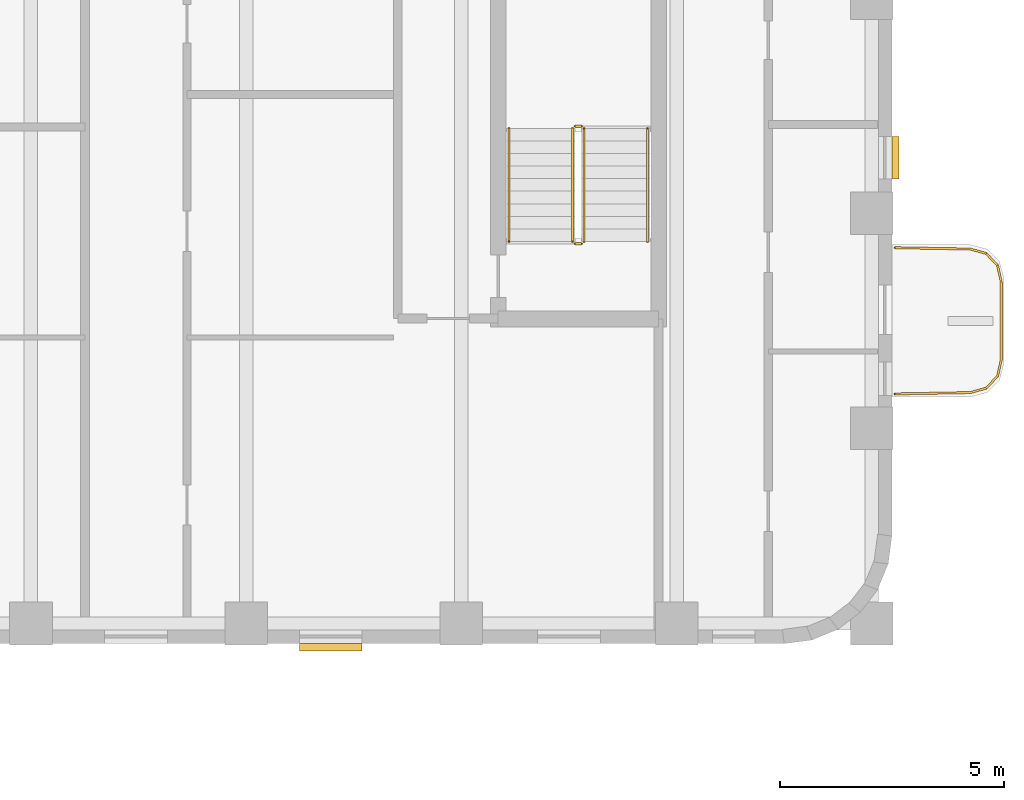
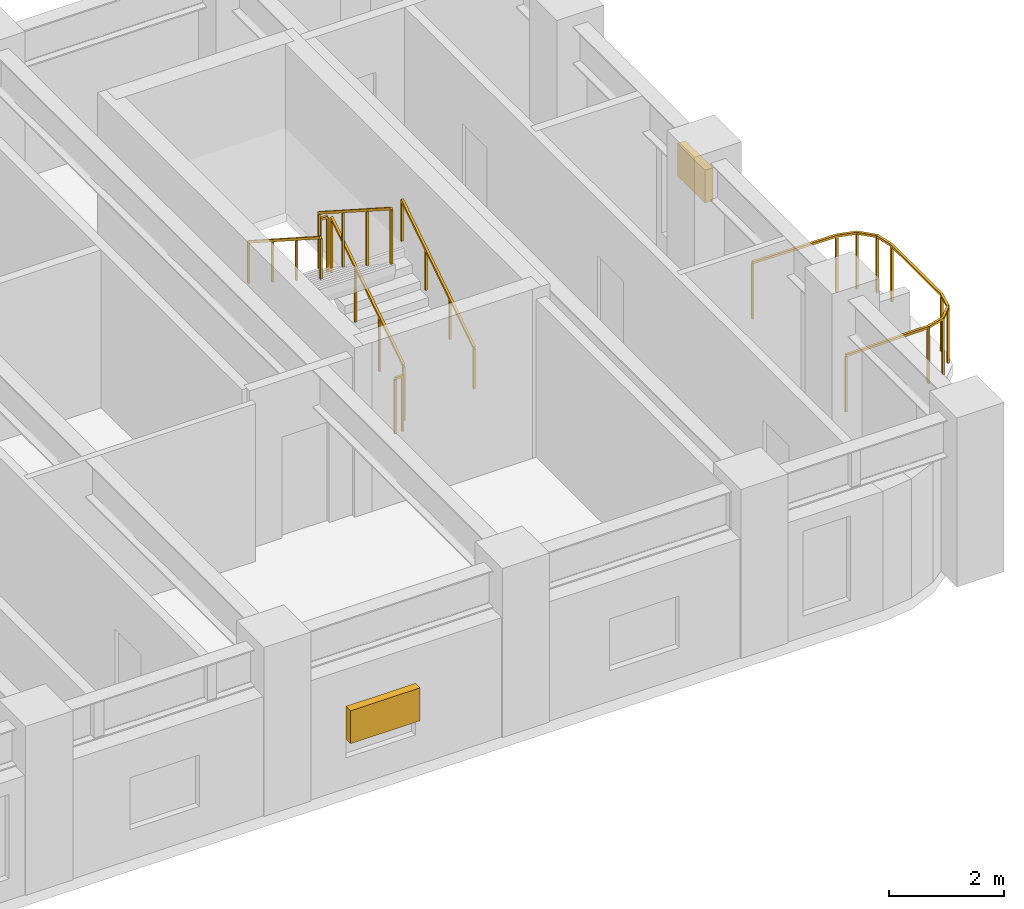
# One storey, part 9 of 10: 7 railings, 2 shading devices.
"""IFC4 building model written with IfcOpenShell, lengths in metres."""

import ifcopenshell
import ifcopenshell.guid

model = None  # the IFC model being written
_history = None  # IfcOwnerHistory: only IFC2X3 demands one
_inside = {}  # id of a spatial element -> (the spatial element, [elements in it])
_under = {}  # id of a project, library or spatial element -> (it, [spatial elements below it])
_declared = {}  # id of a project -> (the project, [libraries it declares])
_typed = {}  # id of a type object -> (the type object, [elements of that type])
_made_of = {}  # id of a material, layer set ... -> (it, [elements and type objects made of it])


def new_model(schema):
    """Start an empty IFC model of exactly this schema.

    Asked for "IFC4X3", IfcOpenShell would pick the latest addendum, in which some entities
    have other attributes; the version numbers below select the first issue.
    IFC2X3 requires an IfcOwnerHistory on every rooted entity: one is made here for all.
    """
    global model, _history
    if schema == "IFC4X3":
        model = ifcopenshell.file(schema_version=(4, 3, 0, 0))
    else:
        model = ifcopenshell.file(schema=schema)
    _inside.clear()
    _under.clear()
    _declared.clear()
    _typed.clear()
    _made_of.clear()
    _history = None
    if model.schema == "IFC2X3":
        org = make("IfcOrganization", Name="unknown")
        user = make(
            "IfcPersonAndOrganization",
            ThePerson=make("IfcPerson", FamilyName="unknown"),
            TheOrganization=org,
        )
        app = make(
            "IfcApplication",
            ApplicationDeveloper=org,
            Version="unknown",
            ApplicationFullName="unknown",
            ApplicationIdentifier="unknown",
        )
        _history = make(
            "IfcOwnerHistory",
            OwningUser=user,
            OwningApplication=app,
            ChangeAction="ADDED",
            CreationDate=0,
        )
    return model


def make(cls, **values):
    """One entity of the class cls with the attributes given. An attribute that is None is left unset."""
    return model.create_entity(
        cls, **{name: value for name, value in values.items() if value is not None}
    )


def rooted(cls, **values):
    """An entity with a GlobalId (a new one), such as an element, a storey or a relation."""
    return make(cls, GlobalId=ifcopenshell.guid.new(), OwnerHistory=_history, **values)


def si_unit(unit_type, name, prefix=None):
    """IfcSIUnit, for example si_unit("LENGTHUNIT", "METRE", prefix="MILLI")."""
    return make("IfcSIUnit", UnitType=unit_type, Prefix=prefix, Name=name)


def assignment(units):
    """IfcUnitAssignment: the units of a project."""
    return None if units is None else make("IfcUnitAssignment", Units=units)


def point(xyz):
    """IfcCartesianPoint."""
    return None if xyz is None else make("IfcCartesianPoint", Coordinates=xyz)


def direction(xyz):
    """IfcDirection."""
    return None if xyz is None else make("IfcDirection", DirectionRatios=xyz)


def frame(location, z_axis=None, x_axis=None):
    """IfcAxis2Placement3D, a coordinate frame: its origin and axes. An axis left out is left unset."""
    return make(
        "IfcAxis2Placement3D",
        Location=point(location),
        Axis=direction(z_axis),
        RefDirection=direction(x_axis),
    )


def frame_2d(location, x_axis=None):
    """IfcAxis2Placement2D, a coordinate frame in the plane: its origin and x axis."""
    return make(
        "IfcAxis2Placement2D", Location=point(location), RefDirection=direction(x_axis)
    )


def origin():
    """The frame at (0, 0, 0) with its axes left unset."""
    return frame((0.0, 0.0, 0.0))


def origin_2d():
    """The frame at (0, 0) in the plane with its x axis left unset."""
    return frame_2d((0.0, 0.0))


def place(relative_to, where):
    """IfcLocalPlacement: puts the frame where relative to a parent placement (None: the world)."""
    return make(
        "IfcLocalPlacement", PlacementRelTo=relative_to, RelativePlacement=where
    )


def context(
    kind, dimensions, precision=None, world=None, true_north=None, identifier=None
):
    """IfcGeometricRepresentationContext, for example the 3D "Model" context."""
    return make(
        "IfcGeometricRepresentationContext",
        ContextIdentifier=identifier,
        ContextType=kind,
        CoordinateSpaceDimension=dimensions,
        Precision=precision,
        WorldCoordinateSystem=world,
        TrueNorth=true_north,
    )


def subcontext(parent, identifier, kind, view, scale=None):
    """IfcGeometricRepresentationSubContext, for example "Body" below "Model"."""
    return make(
        "IfcGeometricRepresentationSubContext",
        ContextIdentifier=identifier,
        ContextType=kind,
        ParentContext=parent,
        TargetScale=scale,
        TargetView=view,
    )


def project(units=None, contexts=None):
    """IfcProject with its units and contexts."""
    return rooted(
        "IfcProject",
        Name="project",
        RepresentationContexts=contexts,
        UnitsInContext=assignment(units),
    )


def spatial(cls, under=None, at=None, **own):
    """A site, building, storey or space (cls), placed at a placement, below another one or the project."""
    s = rooted(cls, ObjectPlacement=at, **own)
    if under is not None:
        _under.setdefault(under.id(), (under, []))[1].append(s)
    return s


def profile(cls, at=None, kind="AREA", **sizes):
    """A parametric profile (cls). Its sizes go by their IFC names, for example OverallWidth=200.0."""
    return make(cls, ProfileType=kind, Position=at, **sizes)


def rectangle(**sizes):
    """IfcRectangleProfileDef."""
    return profile("IfcRectangleProfileDef", **sizes)


def extrude(swept, where, along, depth):
    """IfcExtrudedAreaSolid: the profile swept, set in the frame where, extruded along a direction by depth."""
    return make(
        "IfcExtrudedAreaSolid",
        SweptArea=swept,
        Position=where,
        ExtrudedDirection=direction(along),
        Depth=depth,
    )


def shape(context_of_items, identifier, shape_type, items):
    """IfcShapeRepresentation: the items that make up one representation, for example the "Body"."""
    return make(
        "IfcShapeRepresentation",
        ContextOfItems=context_of_items,
        RepresentationIdentifier=identifier,
        RepresentationType=shape_type,
        Items=items,
    )


def material(Name=None, Category=None):
    """IfcMaterial."""
    return make("IfcMaterial", Name=Name, Category=Category)


def made_of(thing, what):
    """Note that an element or type object is made of a material, layer set ...; save() writes the relation."""
    if what is not None:
        _made_of.setdefault(what.id(), (what, []))[1].append(thing)
    return thing


def type_object(cls, material=None, **own):
    """A type object (cls), such as IfcWallType, which elements share."""
    return made_of(rooted(cls, **own), material)


def element(
    cls,
    number,
    at=None,
    inside=None,
    cuts=None,
    type_object=None,
    material=None,
    context=None,
    identifier="Body",
    shape_type=None,
    held_by="IfcProductDefinitionShape",
    body=None,
    shapes=None,
    **own,
):
    """One element of the class cls, such as IfcWall. Its Tag is "e" and its number.

    at: its placement. inside: the storey or other place that contains it. cuts: it is an
    opening in that element (IfcRelVoidsElement). A single representation is given by context,
    identifier, shape_type and body (its items); several are given by shapes. held_by: the class
    of the entity that holds the representations. save() writes the other relations.
    """
    e = rooted(cls, Tag="e%d" % number, ObjectPlacement=at, **own)
    if body is not None:
        shapes = [shape(context, identifier, shape_type, body)]
    if shapes is not None:
        e.Representation = make(held_by, Representations=shapes)
    if inside is not None:
        _inside.setdefault(inside.id(), (inside, []))[1].append(e)
    if cuts is not None:
        rooted(
            "IfcRelVoidsElement", RelatingBuildingElement=cuts, RelatedOpeningElement=e
        )
    if type_object is not None:
        _typed.setdefault(type_object.id(), (type_object, []))[1].append(e)
    return made_of(e, material)


def aggregate(whole, parts):
    """IfcRelAggregates: a whole, such as a stair, and the parts it consists of."""
    return rooted("IfcRelAggregates", RelatingObject=whole, RelatedObjects=parts)


def save(model, path):
    """Write the relations noted so far, then the file.

    IfcRelAggregates (storeys below a building ...), IfcRelContainedInSpatialStructure (elements
    in a storey), IfcRelDefinesByType, IfcRelAssociatesMaterial and IfcRelDeclares: one each for
    every whole, place, type object, material and project.
    """
    for whole, parts in _under.values():
        aggregate(whole, parts)
    for where, things in _inside.values():
        rooted(
            "IfcRelContainedInSpatialStructure",
            RelatedElements=things,
            RelatingStructure=where,
        )
    for kind, things in _typed.values():
        rooted("IfcRelDefinesByType", RelatedObjects=things, RelatingType=kind)
    for what, things in _made_of.values():
        rooted("IfcRelAssociatesMaterial", RelatedObjects=things, RelatingMaterial=what)
    for by, libraries in _declared.values():
        rooted("IfcRelDeclares", RelatingContext=by, RelatedDefinitions=libraries)
    model.write(path)


model = new_model("IFC4")

# Units and contexts
model_context = context("Model", 3, precision=1e-05, world=origin(), true_north=direction((0.0, 1.0)))
body_context = subcontext(model_context, "Body", "Model", "MODEL_VIEW")
ifc_project = project(units=[si_unit("LENGTHUNIT", "METRE"), si_unit("AREAUNIT", "SQUARE_METRE"), si_unit("VOLUMEUNIT", "CUBIC_METRE"), si_unit("PLANEANGLEUNIT", "RADIAN"), si_unit("MASSUNIT", "GRAM", prefix="KILO")], contexts=[model_context])

# Site, building, storey
site_placement = place(None, origin())
site = spatial("IfcSite", under=ifc_project, at=site_placement, CompositionType="ELEMENT")
building_placement = place(site_placement, origin())
building = spatial("IfcBuilding", under=site, at=building_placement, Name="Orvandelia Arch Residences", CompositionType="ELEMENT")
storey_placement = place(building_placement, frame((0.0, 0.0, 110.800048828125)))
storey = spatial("IfcBuildingStorey", under=building, at=storey_placement, Name="L28", CompositionType="ELEMENT", Elevation=110.800048828125)

# Railings
ifc_material_1 = material(Name="Marine-Grade Stainless Steel 316", Category="steel")
railing_type_1 = type_object("IfcRailingType", Name="GRD-BAL-1200", PredefinedType="BALUSTRADE", material=ifc_material_1)
railing_1_placement = place(storey_placement, frame((52.871826171875, 34.36962890625, 0.0)))
element("IfcRailing", 1, at=railing_1_placement, inside=storey, type_object=railing_type_1, Name="Safety Balustrade Guard GRD-L28-BAL-L28-E1-1", PredefinedType="BALUSTRADE", context=body_context, shape_type="SweptSolid", body=[
    extrude(rectangle(XDim=0.048095703125, YDim=0.048095703125, at=origin_2d()), frame((0.0, 0.0, 1.19580078125), z_axis=(0.999837384468, 0.018033430643, 0.0), x_axis=(-0.018033430643, 0.999837384468, 0.0)), (0.0, 0.0, 1.0), 1.6787109375),
    extrude(rectangle(XDim=0.048095703125, YDim=0.048095703125, at=origin_2d()), frame((1.678466796875, 0.0302734375, 1.19580078125), z_axis=(0.96348920644, 0.267747173792, 0.0), x_axis=(-0.267747173792, 0.96348920644, 0.0)), (0.0, 0.0, 1.0), 0.36572265625),
    extrude(rectangle(XDim=0.048095703125, YDim=0.048095703125, at=origin_2d()), frame((2.03076171875, 0.128173828125, 1.19580078125), z_axis=(0.687947031175, 0.725760898848, 0.0), x_axis=(-0.725760898848, 0.687947031175, 0.0)), (0.0, 0.0, 1.0), 0.367919921875),
    extrude(rectangle(XDim=0.048095703125, YDim=0.048095703125, at=origin_2d()), frame((2.283935546875, 0.395263671875, 1.19580078125), z_axis=(0.221225034864, 0.975222786828, 0.0), x_axis=(-0.975222786828, 0.221225034864, 0.0)), (0.0, 0.0, 1.0), 0.373046875),
    extrude(rectangle(XDim=0.048095703125, YDim=0.048095703125, at=origin_2d()), frame((2.366455078125, 0.759033203125, 1.19580078125), z_axis=(0.0, 1.0, 0.0), x_axis=(-1.0, 0.0, 0.0)), (0.0, 0.0, 1.0), 1.74267578125),
    extrude(rectangle(XDim=0.048095703125, YDim=0.048095703125, at=origin_2d()), frame((2.366455078125, 2.501708984375, 1.19580078125), z_axis=(-0.221225034864, 0.975222786828, 0.0), x_axis=(-0.975222786828, -0.221225034864, 0.0)), (0.0, 0.0, 1.0), 0.373046875),
    extrude(rectangle(XDim=0.048095703125, YDim=0.048095703125, at=origin_2d()), frame((2.283935546875, 2.865478515625, 1.19580078125), z_axis=(-0.687947031175, 0.725760898848, 0.0), x_axis=(-0.725760898848, -0.687947031175, 0.0)), (0.0, 0.0, 1.0), 0.367919921875),
    extrude(rectangle(XDim=0.048095703125, YDim=0.048095703125, at=origin_2d()), frame((2.03076171875, 3.132568359375, 1.19580078125), z_axis=(-0.96348920644, 0.267747173792, 0.0), x_axis=(-0.267747173792, -0.96348920644, 0.0)), (0.0, 0.0, 1.0), 0.36572265625),
    extrude(rectangle(XDim=0.048095703125, YDim=0.048095703125, at=origin_2d()), frame((1.678466796875, 3.23046875, 1.19580078125), z_axis=(-0.999837384468, 0.018033430643, 0.0), x_axis=(-0.018033430643, -0.999837384468, 0.0)), (0.0, 0.0, 1.0), 1.6787109375),
    extrude(rectangle(XDim=0.0419921875, YDim=0.0419921875, at=origin_2d()), origin(), (0.0, 0.0, 1.0), 1.171875),
    extrude(rectangle(XDim=0.0419921875, YDim=0.0419921875, at=origin_2d()), frame((1.678466796875, 0.0302734375, 0.0)), (0.0, 0.0, 1.0), 1.171875),
    extrude(rectangle(XDim=0.0419921875, YDim=0.0419921875, at=origin_2d()), frame((2.03076171875, 0.128173828125, 0.0)), (0.0, 0.0, 1.0), 1.171875),
    extrude(rectangle(XDim=0.0419921875, YDim=0.0419921875, at=origin_2d()), frame((2.283935546875, 0.395263671875, 0.0)), (0.0, 0.0, 1.0), 1.171875),
    extrude(rectangle(XDim=0.0419921875, YDim=0.0419921875, at=origin_2d()), frame((2.366455078125, 0.759033203125, 0.0)), (0.0, 0.0, 1.0), 1.171875),
    extrude(rectangle(XDim=0.0419921875, YDim=0.0419921875, at=origin_2d()), frame((2.366455078125, 2.501708984375, 0.0)), (0.0, 0.0, 1.0), 1.171875),
    extrude(rectangle(XDim=0.0419921875, YDim=0.0419921875, at=origin_2d()), frame((2.283935546875, 2.865478515625, 0.0)), (0.0, 0.0, 1.0), 1.171875),
    extrude(rectangle(XDim=0.0419921875, YDim=0.0419921875, at=origin_2d()), frame((2.03076171875, 3.132568359375, 0.0)), (0.0, 0.0, 1.0), 1.171875),
    extrude(rectangle(XDim=0.0419921875, YDim=0.0419921875, at=origin_2d()), frame((1.678466796875, 3.23046875, 0.0)), (0.0, 0.0, 1.0), 1.171875),
    extrude(rectangle(XDim=0.0419921875, YDim=0.0419921875, at=origin_2d()), frame((0.0, 3.2607421875, 0.0)), (0.0, 0.0, 1.0), 1.171875),
])
ifc_material_2 = material(Name="Brushed Stainless Steel 304", Category="steel")
railing_type_2 = type_object("IfcRailingType", Name="RL-STAIR-GD1120", PredefinedType="GUARDRAIL", material=ifc_material_2)
railing_2_placement = place(storey_placement, frame((45.929931640625, 37.77001953125, 0.179931640625)))
element("IfcRailing", 2, at=railing_2_placement, inside=storey, type_object=railing_type_2, Name="L28 ST-3 stair guard 1", PredefinedType="GUARDRAIL", context=body_context, shape_type="SweptSolid", body=[
    extrude(rectangle(XDim=0.048095703125, YDim=0.048095703125, at=origin_2d()), frame((0.0, 0.0, 1.17578125), z_axis=(0.0, 0.841162588446, 0.540782303519), x_axis=(-1.0, 0.0, 0.0)), (0.0, 0.0, 1.0), 2.995849609375),
    extrude(rectangle(XDim=0.0419921875, YDim=0.0419921875, at=origin_2d()), origin(), (0.0, 0.0, 1.0), 1.15185546875),
    extrude(rectangle(XDim=0.0419921875, YDim=0.0419921875, at=origin_2d()), frame((0.0, 0.840087890625, 0.5400390625)), (0.0, 0.0, 1.0), 1.15185546875),
    extrude(rectangle(XDim=0.0419921875, YDim=0.0419921875, at=origin_2d()), frame((0.0, 1.679931640625, 1.080078125)), (0.0, 0.0, 1.0), 1.15185546875),
    extrude(rectangle(XDim=0.0419921875, YDim=0.0419921875, at=origin_2d()), frame((0.0, 2.52001953125, 1.6201171875)), (0.0, 0.0, 1.0), 1.15185546875),
])
railing_3_placement = place(storey_placement, frame((45.8798828125, 40.340087890625, 1.800048828125)))
element("IfcRailing", 3, at=railing_3_placement, inside=storey, type_object=railing_type_2, Name="L28 ST-3 stair guard 2", PredefinedType="GUARDRAIL", context=body_context, shape_type="SweptSolid", body=[
    extrude(rectangle(XDim=0.048095703125, YDim=0.048095703125, at=origin_2d()), frame((0.0, 0.0, 1.17578125), z_axis=(-1.0, 0.0, 0.0), x_axis=(0.0, -1.0, 0.0)), (0.0, 0.0, 1.0), 0.14990234375),
    extrude(rectangle(XDim=0.0419921875, YDim=0.0419921875, at=origin_2d()), origin(), (0.0, 0.0, 1.0), 1.15185546875),
    extrude(rectangle(XDim=0.0419921875, YDim=0.0419921875, at=origin_2d()), frame((-0.14990234375, 0.0, 0.0)), (0.0, 0.0, 1.0), 1.15185546875),
])
railing_4_placement = place(storey_placement, frame((45.679931640625, 40.2900390625, 1.97998046875)))
element("IfcRailing", 4, at=railing_4_placement, inside=storey, type_object=railing_type_2, Name="L28 ST-3 stair guard 3", PredefinedType="GUARDRAIL", context=body_context, shape_type="SweptSolid", body=[
    extrude(rectangle(XDim=0.048095703125, YDim=0.048095703125, at=origin_2d()), frame((0.0, 0.0, 1.17578125), z_axis=(0.0, -0.841199657755, 0.540724639528), x_axis=(1.0, 0.0, 0.0)), (0.0, 0.0, 1.0), 2.995849609375),
    extrude(rectangle(XDim=0.0419921875, YDim=0.0419921875, at=origin_2d()), origin(), (0.0, 0.0, 1.0), 1.15185546875),
    extrude(rectangle(XDim=0.0419921875, YDim=0.0419921875, at=origin_2d()), frame((0.0, -0.840087890625, 0.5400390625)), (0.0, 0.0, 1.0), 1.15185546875),
    extrude(rectangle(XDim=0.0419921875, YDim=0.0419921875, at=origin_2d()), frame((0.0, -1.679931640625, 1.079833984375)), (0.0, 0.0, 1.0), 1.15185546875),
    extrude(rectangle(XDim=0.0419921875, YDim=0.0419921875, at=origin_2d()), frame((0.0, -2.52001953125, 1.619873046875)), (0.0, 0.0, 1.0), 1.15185546875),
])
railing_5_placement = place(storey_placement, frame((45.8798828125, 37.719970703125, 0.0)))
element("IfcRailing", 5, at=railing_5_placement, inside=storey, type_object=railing_type_2, Name="L28 ST-3 stair guard 4", PredefinedType="GUARDRAIL", context=body_context, shape_type="SweptSolid", body=[
    extrude(rectangle(XDim=0.048095703125, YDim=0.048095703125, at=origin_2d()), frame((0.0, 0.0, 1.17578125), z_axis=(-1.0, 0.0, 0.0), x_axis=(0.0, -1.0, 0.0)), (0.0, 0.0, 1.0), 0.14990234375),
    extrude(rectangle(XDim=0.0419921875, YDim=0.0419921875, at=origin_2d()), origin(), (0.0, 0.0, 1.0), 1.15185546875),
    extrude(rectangle(XDim=0.0419921875, YDim=0.0419921875, at=origin_2d()), frame((-0.14990234375, 0.0, 0.0)), (0.0, 0.0, 1.0), 1.15185546875),
])
railing_type_3 = type_object("IfcRailingType", Name="RL-STAIR-HR920", PredefinedType="HANDRAIL", material=ifc_material_2)
railing_6_placement = place(storey_placement, frame((47.35009765625, 37.77001953125, 0.35986328125)))
element("IfcRailing", 6, at=railing_6_placement, inside=storey, type_object=railing_type_3, Name="L28 ST-3 stair handrail 1", PredefinedType="HANDRAIL", context=body_context, shape_type="SweptSolid", body=[
    extrude(rectangle(XDim=0.048095703125, YDim=0.048095703125, at=origin_2d()), frame((0.0, 0.0, 0.8759765625), z_axis=(0.0, 0.841162588446, 0.540782303519), x_axis=(-1.0, 0.0, 0.0)), (0.0, 0.0, 1.0), 2.995849609375),
    extrude(rectangle(XDim=0.0419921875, YDim=0.0419921875, at=origin_2d()), origin(), (0.0, 0.0, 1.0), 0.851806640625),
    extrude(rectangle(XDim=0.0419921875, YDim=0.0419921875, at=origin_2d()), frame((0.0, 0.840087890625, 0.5400390625)), (0.0, 0.0, 1.0), 0.851806640625),
    extrude(rectangle(XDim=0.0419921875, YDim=0.0419921875, at=origin_2d()), frame((0.0, 1.679931640625, 1.080078125)), (0.0, 0.0, 1.0), 0.851806640625),
    extrude(rectangle(XDim=0.0419921875, YDim=0.0419921875, at=origin_2d()), frame((0.0, 2.52001953125, 1.6201171875)), (0.0, 0.0, 1.0), 0.851806640625),
])
railing_7_placement = place(storey_placement, frame((44.260009765625, 40.2900390625, 2.159912109375)))
element("IfcRailing", 7, at=railing_7_placement, inside=storey, type_object=railing_type_3, Name="L28 ST-3 stair handrail 2", PredefinedType="HANDRAIL", context=body_context, shape_type="SweptSolid", body=[
    extrude(rectangle(XDim=0.048095703125, YDim=0.048095703125, at=origin_2d()), frame((0.0, 0.0, 0.8759765625), z_axis=(0.0, -0.841162588446, 0.540782303519), x_axis=(1.0, 0.0, 0.0)), (0.0, 0.0, 1.0), 2.995849609375),
    extrude(rectangle(XDim=0.0419921875, YDim=0.0419921875, at=origin_2d()), origin(), (0.0, 0.0, 1.0), 0.851806640625),
    extrude(rectangle(XDim=0.0419921875, YDim=0.0419921875, at=origin_2d()), frame((0.0, -0.840087890625, 0.5400390625)), (0.0, 0.0, 1.0), 0.851806640625),
    extrude(rectangle(XDim=0.0419921875, YDim=0.0419921875, at=origin_2d()), frame((0.0, -1.679931640625, 1.080078125)), (0.0, 0.0, 1.0), 0.851806640625),
    extrude(rectangle(XDim=0.0419921875, YDim=0.0419921875, at=origin_2d()), frame((0.0, -2.52001953125, 1.6201171875)), (0.0, 0.0, 1.0), 0.851806640625),
])

# Shading devices
ifc_material_3 = material(Name="Anodised Champagne-Bronze Extruded Aluminium", Category="aluminium")
shading_device_type = type_object("IfcShadingDeviceType", Name="SHD-JALOUSIE-SCREEN", PredefinedType="JALOUSIE", material=ifc_material_3)
shading_device_1_placement = place(storey_placement, frame((52.8798828125, 39.638916015625, 1.5498046875), z_axis=(0.0, 0.0, 1.0), x_axis=(0.0, -1.0, 0.0)))
element("IfcShadingDevice", 8, at=shading_device_1_placement, inside=storey, type_object=shading_device_type, Name="Bronze Jalousie Sun-Shade L28-002", PredefinedType="JALOUSIE", context=body_context, shape_type="SweptSolid", body=[
    extrude(rectangle(XDim=0.949951171875, YDim=0.159912109375, at=origin_2d()), origin(), (0.0, 0.0, 1.0), 0.699951171875),
])
shading_device_2_placement = place(storey_placement, frame((40.28759765625, 28.719970703125, 1.0498046875), z_axis=(0.0, 0.0, 1.0), x_axis=(-1.0, 0.0, 0.0)))
element("IfcShadingDevice", 9, at=shading_device_2_placement, inside=storey, type_object=shading_device_type, Name="Bronze Jalousie Sun-Shade L28-004", PredefinedType="JALOUSIE", context=body_context, shape_type="SweptSolid", body=[
    extrude(rectangle(XDim=1.39990234375, YDim=0.159912109375, at=origin_2d()), origin(), (0.0, 0.0, 1.0), 0.699951171875),
])

save(model, "model.ifc")
